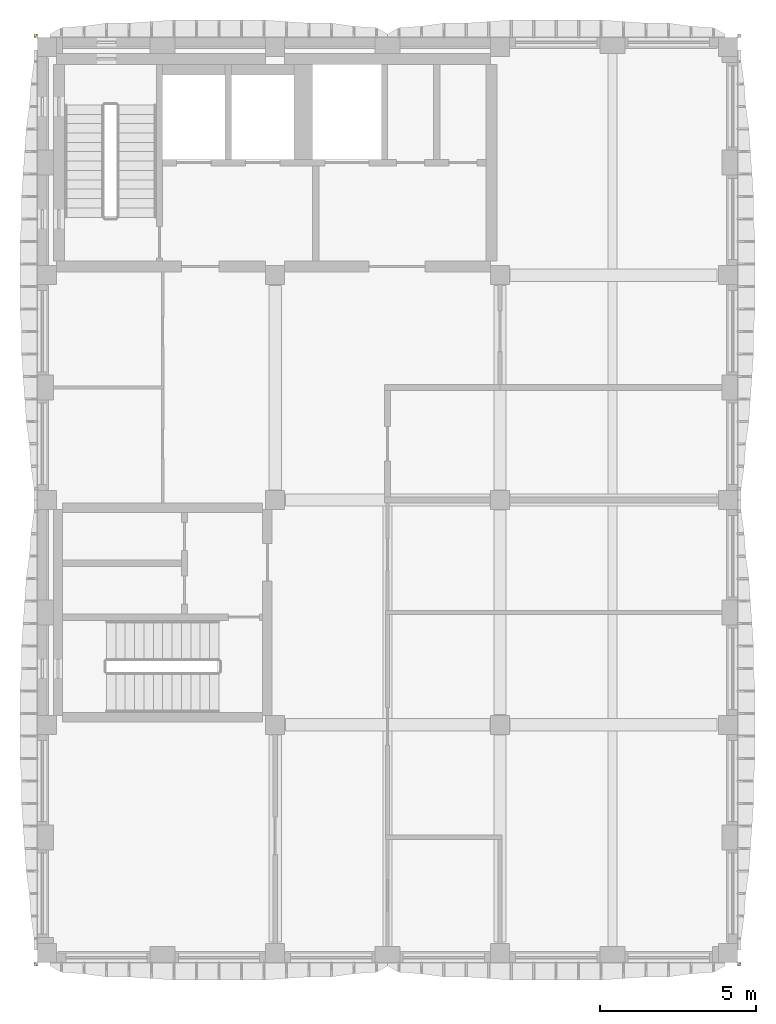
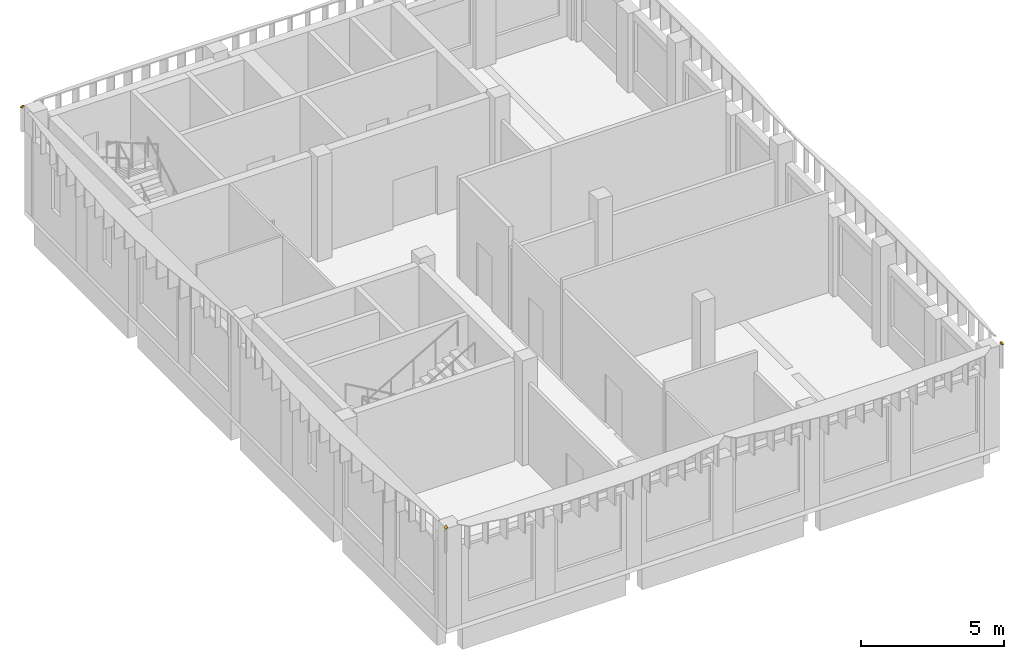
# One storey, part 9 of 10: 3 shading devices.
"""IFC4 building model written with IfcOpenShell, lengths in metres."""

import ifcopenshell
import ifcopenshell.guid

model = None  # the IFC model being written
_history = None  # IfcOwnerHistory: only IFC2X3 demands one
_inside = {}  # id of a spatial element -> (the spatial element, [elements in it])
_under = {}  # id of a project, library or spatial element -> (it, [spatial elements below it])
_declared = {}  # id of a project -> (the project, [libraries it declares])
_typed = {}  # id of a type object -> (the type object, [elements of that type])
_made_of = {}  # id of a material, layer set ... -> (it, [elements and type objects made of it])


def new_model(schema):
    """Start an empty IFC model of exactly this schema.

    Asked for "IFC4X3", IfcOpenShell would pick the latest addendum, in which some entities
    have other attributes; the version numbers below select the first issue.
    IFC2X3 requires an IfcOwnerHistory on every rooted entity: one is made here for all.
    """
    global model, _history
    if schema == "IFC4X3":
        model = ifcopenshell.file(schema_version=(4, 3, 0, 0))
    else:
        model = ifcopenshell.file(schema=schema)
    _inside.clear()
    _under.clear()
    _declared.clear()
    _typed.clear()
    _made_of.clear()
    _history = None
    if model.schema == "IFC2X3":
        org = make("IfcOrganization", Name="unknown")
        user = make(
            "IfcPersonAndOrganization",
            ThePerson=make("IfcPerson", FamilyName="unknown"),
            TheOrganization=org,
        )
        app = make(
            "IfcApplication",
            ApplicationDeveloper=org,
            Version="unknown",
            ApplicationFullName="unknown",
            ApplicationIdentifier="unknown",
        )
        _history = make(
            "IfcOwnerHistory",
            OwningUser=user,
            OwningApplication=app,
            ChangeAction="ADDED",
            CreationDate=0,
        )
    return model


def make(cls, **values):
    """One entity of the class cls with the attributes given. An attribute that is None is left unset."""
    return model.create_entity(
        cls, **{name: value for name, value in values.items() if value is not None}
    )


def rooted(cls, **values):
    """An entity with a GlobalId (a new one), such as an element, a storey or a relation."""
    return make(cls, GlobalId=ifcopenshell.guid.new(), OwnerHistory=_history, **values)


def si_unit(unit_type, name, prefix=None):
    """IfcSIUnit, for example si_unit("LENGTHUNIT", "METRE", prefix="MILLI")."""
    return make("IfcSIUnit", UnitType=unit_type, Prefix=prefix, Name=name)


def assignment(units):
    """IfcUnitAssignment: the units of a project."""
    return None if units is None else make("IfcUnitAssignment", Units=units)


def point(xyz):
    """IfcCartesianPoint."""
    return None if xyz is None else make("IfcCartesianPoint", Coordinates=xyz)


def direction(xyz):
    """IfcDirection."""
    return None if xyz is None else make("IfcDirection", DirectionRatios=xyz)


def frame(location, z_axis=None, x_axis=None):
    """IfcAxis2Placement3D, a coordinate frame: its origin and axes. An axis left out is left unset."""
    return make(
        "IfcAxis2Placement3D",
        Location=point(location),
        Axis=direction(z_axis),
        RefDirection=direction(x_axis),
    )


def origin():
    """The frame at (0, 0, 0) with its axes left unset."""
    return frame((0.0, 0.0, 0.0))


def place(relative_to, where):
    """IfcLocalPlacement: puts the frame where relative to a parent placement (None: the world)."""
    return make(
        "IfcLocalPlacement", PlacementRelTo=relative_to, RelativePlacement=where
    )


def context(
    kind, dimensions, precision=None, world=None, true_north=None, identifier=None
):
    """IfcGeometricRepresentationContext, for example the 3D "Model" context."""
    return make(
        "IfcGeometricRepresentationContext",
        ContextIdentifier=identifier,
        ContextType=kind,
        CoordinateSpaceDimension=dimensions,
        Precision=precision,
        WorldCoordinateSystem=world,
        TrueNorth=true_north,
    )


def subcontext(parent, identifier, kind, view, scale=None):
    """IfcGeometricRepresentationSubContext, for example "Body" below "Model"."""
    return make(
        "IfcGeometricRepresentationSubContext",
        ContextIdentifier=identifier,
        ContextType=kind,
        ParentContext=parent,
        TargetScale=scale,
        TargetView=view,
    )


def project(units=None, contexts=None):
    """IfcProject with its units and contexts."""
    return rooted(
        "IfcProject",
        Name="project",
        RepresentationContexts=contexts,
        UnitsInContext=assignment(units),
    )


def spatial(cls, under=None, at=None, **own):
    """A site, building, storey or space (cls), placed at a placement, below another one or the project."""
    s = rooted(cls, ObjectPlacement=at, **own)
    if under is not None:
        _under.setdefault(under.id(), (under, []))[1].append(s)
    return s


def polyline(points):
    """IfcPolyline through the points."""
    return make("IfcPolyline", Points=[point(p) for p in points])


def outline(outer, holes=None, kind="AREA"):
    """IfcArbitraryClosedProfileDef: a profile drawn as a closed curve; with holes, ...WithVoids."""
    if holes is None:
        return make("IfcArbitraryClosedProfileDef", ProfileType=kind, OuterCurve=outer)
    return make(
        "IfcArbitraryProfileDefWithVoids",
        ProfileType=kind,
        OuterCurve=outer,
        InnerCurves=holes,
    )


def extrude(swept, where, along, depth):
    """IfcExtrudedAreaSolid: the profile swept, set in the frame where, extruded along a direction by depth."""
    return make(
        "IfcExtrudedAreaSolid",
        SweptArea=swept,
        Position=where,
        ExtrudedDirection=direction(along),
        Depth=depth,
    )


def shape(context_of_items, identifier, shape_type, items):
    """IfcShapeRepresentation: the items that make up one representation, for example the "Body"."""
    return make(
        "IfcShapeRepresentation",
        ContextOfItems=context_of_items,
        RepresentationIdentifier=identifier,
        RepresentationType=shape_type,
        Items=items,
    )


def material(Name=None, Category=None):
    """IfcMaterial."""
    return make("IfcMaterial", Name=Name, Category=Category)


def layer(
    of_material, thickness, ventilated=None, Name=None, Category=None, Priority=None
):
    """IfcMaterialLayer: one layer of a wall or slab, of a material (None: an air gap)."""
    return make(
        "IfcMaterialLayer",
        Material=of_material,
        LayerThickness=thickness,
        IsVentilated=ventilated,
        Name=Name,
        Category=Category,
        Priority=Priority,
    )


def layer_set(layers, Name=None):
    """IfcMaterialLayerSet."""
    return make("IfcMaterialLayerSet", MaterialLayers=layers, LayerSetName=Name)


def made_of(thing, what):
    """Note that an element or type object is made of a material, layer set ...; save() writes the relation."""
    if what is not None:
        _made_of.setdefault(what.id(), (what, []))[1].append(thing)
    return thing


def type_object(cls, material=None, **own):
    """A type object (cls), such as IfcWallType, which elements share."""
    return made_of(rooted(cls, **own), material)


def element(
    cls,
    number,
    at=None,
    inside=None,
    cuts=None,
    type_object=None,
    material=None,
    context=None,
    identifier="Body",
    shape_type=None,
    held_by="IfcProductDefinitionShape",
    body=None,
    shapes=None,
    **own,
):
    """One element of the class cls, such as IfcWall. Its Tag is "e" and its number.

    at: its placement. inside: the storey or other place that contains it. cuts: it is an
    opening in that element (IfcRelVoidsElement). A single representation is given by context,
    identifier, shape_type and body (its items); several are given by shapes. held_by: the class
    of the entity that holds the representations. save() writes the other relations.
    """
    e = rooted(cls, Tag="e%d" % number, ObjectPlacement=at, **own)
    if body is not None:
        shapes = [shape(context, identifier, shape_type, body)]
    if shapes is not None:
        e.Representation = make(held_by, Representations=shapes)
    if inside is not None:
        _inside.setdefault(inside.id(), (inside, []))[1].append(e)
    if cuts is not None:
        rooted(
            "IfcRelVoidsElement", RelatingBuildingElement=cuts, RelatedOpeningElement=e
        )
    if type_object is not None:
        _typed.setdefault(type_object.id(), (type_object, []))[1].append(e)
    return made_of(e, material)


def aggregate(whole, parts):
    """IfcRelAggregates: a whole, such as a stair, and the parts it consists of."""
    return rooted("IfcRelAggregates", RelatingObject=whole, RelatedObjects=parts)


def save(model, path):
    """Write the relations noted so far, then the file.

    IfcRelAggregates (storeys below a building ...), IfcRelContainedInSpatialStructure (elements
    in a storey), IfcRelDefinesByType, IfcRelAssociatesMaterial and IfcRelDeclares: one each for
    every whole, place, type object, material and project.
    """
    for whole, parts in _under.values():
        aggregate(whole, parts)
    for where, things in _inside.values():
        rooted(
            "IfcRelContainedInSpatialStructure",
            RelatedElements=things,
            RelatingStructure=where,
        )
    for kind, things in _typed.values():
        rooted("IfcRelDefinesByType", RelatedObjects=things, RelatingType=kind)
    for what, things in _made_of.values():
        rooted("IfcRelAssociatesMaterial", RelatedObjects=things, RelatingMaterial=what)
    for by, libraries in _declared.values():
        rooted("IfcRelDeclares", RelatingContext=by, RelatedDefinitions=libraries)
    model.write(path)


model = new_model("IFC4")

# Units and contexts
model_context = context("Model", 3, precision=1e-05, world=origin(), true_north=direction((0.0, 1.0)))
body_context = subcontext(model_context, "Body", "Model", "MODEL_VIEW")
ifc_project = project(units=[si_unit("LENGTHUNIT", "METRE"), si_unit("AREAUNIT", "SQUARE_METRE"), si_unit("VOLUMEUNIT", "CUBIC_METRE"), si_unit("PLANEANGLEUNIT", "RADIAN"), si_unit("MASSUNIT", "GRAM", prefix="KILO")], contexts=[model_context])

# Site, building, storey
site_placement = place(None, origin())
site = spatial("IfcSite", under=ifc_project, at=site_placement, CompositionType="ELEMENT")
building_placement = place(site_placement, origin())
building = spatial("IfcBuilding", under=site, at=building_placement, Name="Ussher Court Research Institute", CompositionType="ELEMENT")
storey_placement = place(building_placement, frame((0.0, 0.0, 36.89990234375)))
storey = spatial("IfcBuildingStorey", under=building, at=storey_placement, Name="L08", CompositionType="ELEMENT", Elevation=36.89990234375)

# Shading devices
ifc_material = material(Name="Bronze anodised aluminium", Category="aluminium")
ifc_layer = layer(ifc_material, 0.0400390625)
ifc_layer_set = layer_set([ifc_layer], Name="Bronze anodised aluminium")
shading_device_type = type_object("IfcShadingDeviceType", Name="Brim visor sheet 40 mm canted 26 deg wet", PredefinedType="USERDEFINED", material=ifc_layer_set)
for number, where, z_axis, x_axis, name in (
    (1, (81.783935546875, 33.216064453125, 4.48291015625), (-0.400847757571, 0.400847757571, 0.823797396512), (0.000362285341, 0.899269394429, -0.437395044544), "Brim visor sheet BR1 L08"),
    (2, (104.216064453125, 3.583984375, 4.48291015625), (0.400847757571, -0.400847757571, 0.823797396512), (-0.000362285341, -0.899269394429, -0.437395044544), "Brim visor sheet BR1 L08"),
    (3, (81.783935546875, 3.583984375, 4.48291015625), (-0.400847757571, -0.400847757571, 0.823797396512), (-0.899269394429, 0.000362285341, -0.437395044544), "Brim visor sheet BR1 L08"),
):
    element("IfcShadingDevice", number, at=place(storey_placement, frame(where, z_axis=z_axis, x_axis=x_axis)), inside=storey, type_object=shading_device_type, Name=name, ObjectType="BRIM", PredefinedType="USERDEFINED", context=body_context, shape_type="SweptSolid", body=[
        extrude(outline(polyline([(0.0, 0.0), (0.11126515272958254, 0.0), (0.13258606872546647, 0.10931209908468126), (0.021214130096336967, 0.10922405822982874), (0.0, 0.0)])), origin(), (0.0, 0.0, -1.0), 0.0400390625),
    ])

save(model, "model.ifc")
